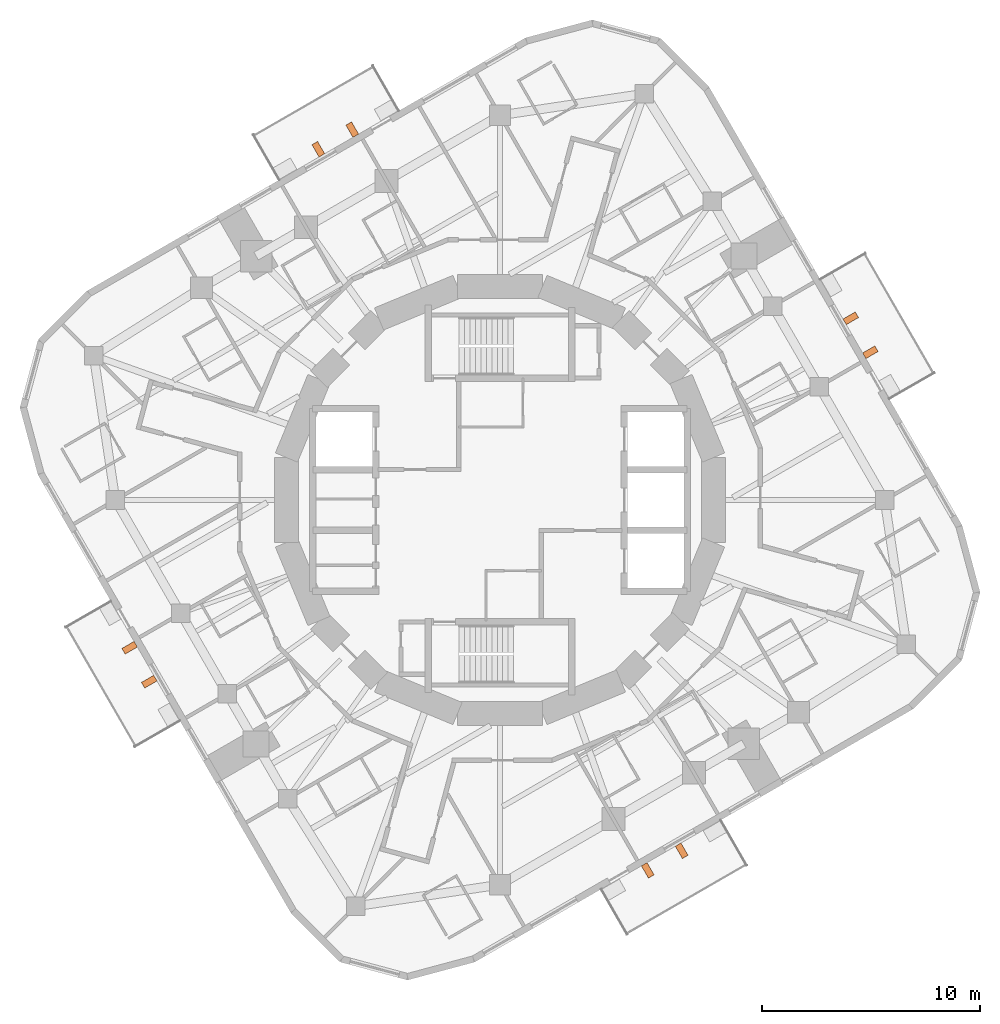
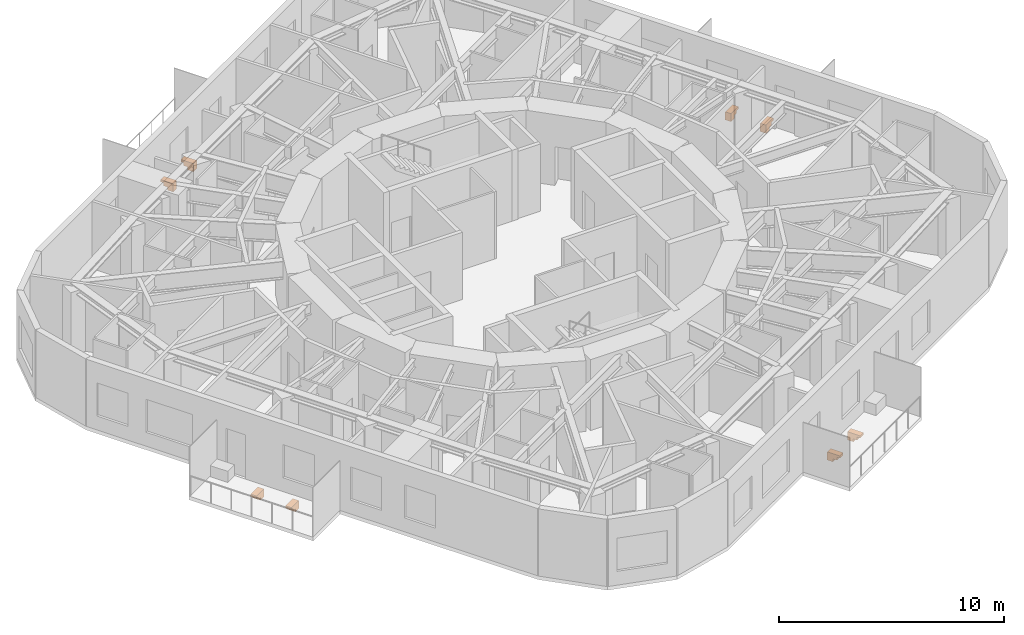
# One storey, part 11 of 11: 8 proxies.
"""IFC4 building model written with IfcOpenShell, lengths in metres."""

from ifc_helpers import new_model, si_unit, direction, frame, origin, place, context, subcontext, project, spatial, polyline, outline, extrude, material, type_object, element, save


model = new_model("IFC4")

# Units and contexts
model_context = context("Model", 3, precision=1e-05, world=origin(), true_north=direction((0.0, 1.0)))
body_context = subcontext(model_context, "Body", "Model", "MODEL_VIEW")
ifc_project = project(units=[si_unit("LENGTHUNIT", "METRE"), si_unit("AREAUNIT", "SQUARE_METRE"), si_unit("VOLUMEUNIT", "CUBIC_METRE"), si_unit("PLANEANGLEUNIT", "RADIAN"), si_unit("MASSUNIT", "GRAM", prefix="KILO")], contexts=[model_context])

# Site, building, storey
site_placement = place(None, origin())
site = spatial("IfcSite", under=ifc_project, at=site_placement, CompositionType="ELEMENT")
building_placement = place(site_placement, origin())
building = spatial("IfcBuilding", under=site, at=building_placement, Name="Nakasero Lantern House", CompositionType="ELEMENT")
storey_placement = place(building_placement, frame((0.0, 0.0, 253.89990234375)))
storey = spatial("IfcBuildingStorey", under=building, at=storey_placement, Name="L62", CompositionType="ELEMENT", Elevation=253.89990234375)

# Proxies
ifc_material = material(Name="Concrete C40/50 precast", Category="concrete")
building_element_proxy_type = type_object("IfcBuildingElementProxyType", Name="Balcony bracket 300", PredefinedType="USERDEFINED", material=ifc_material)
for number, where, z_axis, x_axis, name in (
    (1, (16.7294921875, 6.62353515625, -0.199951171875), (0.0, 0.0, 1.0), (0.866025404, 0.5, 0.0), "Balcony bracket L62 0A"),
    (2, (15.82958984375, 8.182373046875, -0.199951171875), (0.0, 0.0, 1.0), (0.866025404, 0.5, 0.0), "Balcony bracket L62 0B"),
    (3, (-6.62353515625, 16.7294921875, -0.199951171875), (0.0, 0.0, 1.0), (-0.5, 0.866025404, 0.0), "Balcony bracket L62 1A"),
    (4, (-8.182373046875, 15.82958984375, -0.199951171875), (0.0, 0.0, 1.0), (-0.5, 0.866025404, 0.0), "Balcony bracket L62 1B"),
    (5, (-16.7294921875, -6.62353515625, -0.199951171875), (0.0, 0.0, 1.0), (-0.866025404, -0.5, 0.0), "Balcony bracket L62 2A"),
    (6, (-15.82958984375, -8.182373046875, -0.199951171875), (0.0, 0.0, 1.0), (-0.866025404, -0.5, 0.0), "Balcony bracket L62 2B"),
    (7, (6.62353515625, -16.7294921875, -0.199951171875), (0.0, 0.0, 1.0), (0.5, -0.866025404, 0.0), "Balcony bracket L62 3A"),
    (8, (8.182373046875, -15.82958984375, -0.199951171875), (0.0, 0.0, 1.0), (0.5, -0.866025404, 0.0), "Balcony bracket L62 3B"),
):
    element("IfcBuildingElementProxy", number, at=place(storey_placement, frame(where, z_axis=z_axis, x_axis=x_axis)), inside=storey, type_object=building_element_proxy_type, Name=name, ObjectType="BALCONY BRACKET", PredefinedType="USERDEFINED", context=body_context, shape_type="SweptSolid", body=[
        extrude(outline(polyline([(0.0, 0.0), (0.64990234375, 0.0), (0.64990234375, -0.1201171875), (0.5, -0.1201171875), (0.5, -0.280029296875), (0.300048828125, -0.280029296875), (0.300048828125, -0.43994140625), (0.0, -0.43994140625), (0.0, 0.0)])), frame((0.0, 0.14990234375, 0.0), z_axis=(0.0, -1.0, 0.0), x_axis=(1.0, 0.0, 0.0)), (0.0, 0.0, 1.0), 0.300048828125),
    ])

save(model, "model.ifc")
